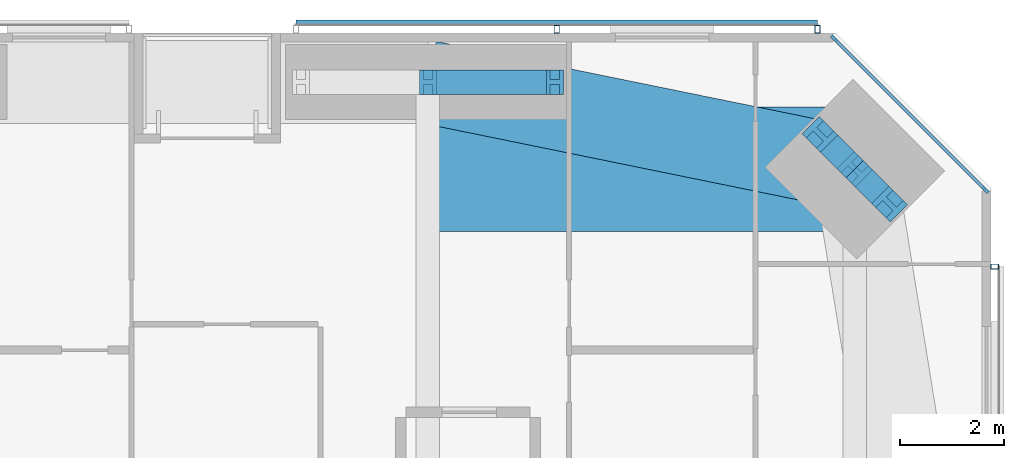
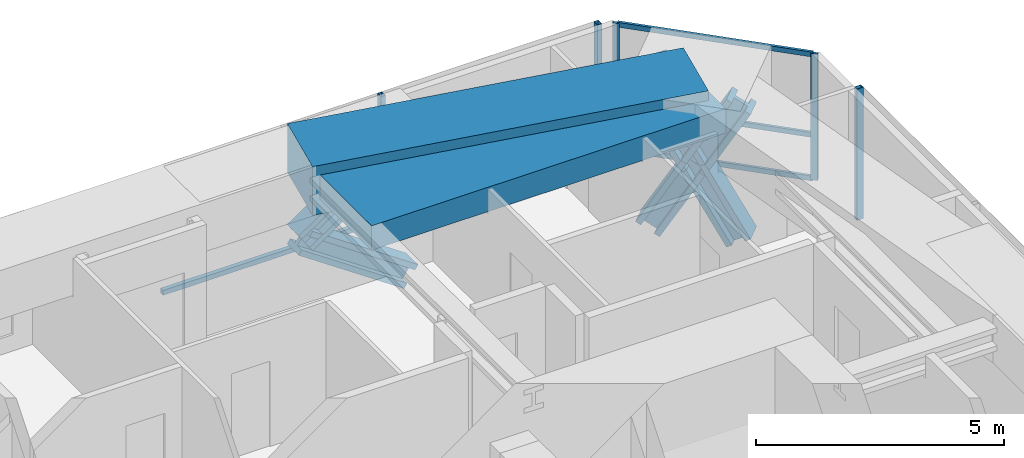
# One storey, part 15 of 24: 15 members, 2 beams, 3 elements without a shape of their own.
"""IFC4 building model written with IfcOpenShell, lengths in metres."""

from ifc_helpers import new_model, si_unit, direction, frame, origin, origin_2d, place, context, subcontext, project, spatial, rectangle, hollow_rectangle, i_section, extrude, material, material_profile, profile_set, type_object, element, aggregate, save


model = new_model("IFC4")

# Units and contexts
model_context = context("Model", 3, precision=1e-05, world=origin(), true_north=direction((0.0, 1.0)))
body_context = subcontext(model_context, "Body", "Model", "MODEL_VIEW")
ifc_project = project(units=[si_unit("LENGTHUNIT", "METRE"), si_unit("AREAUNIT", "SQUARE_METRE"), si_unit("VOLUMEUNIT", "CUBIC_METRE"), si_unit("PLANEANGLEUNIT", "RADIAN"), si_unit("MASSUNIT", "GRAM", prefix="KILO")], contexts=[model_context])

# Site, building, storey
site_placement = place(None, origin())
site = spatial("IfcSite", under=ifc_project, at=site_placement, CompositionType="ELEMENT")
building_placement = place(site_placement, origin())
building = spatial("IfcBuilding", under=site, at=building_placement, Name="Jalousie Tower", CompositionType="ELEMENT")
storey_placement = place(building_placement, frame((0.0, 0.0, 124.949951171875)))
storey = spatial("IfcBuildingStorey", under=building, at=storey_placement, Name="L34", CompositionType="ELEMENT", Elevation=124.949951171875)

# Curtain wall, members
ifc_material_1 = material(Name="Aluminium curtain wall", Category="aluminium")
curtain_wall_type_1 = type_object("IfcCurtainWallType", Name="CORNER WINDOW WALL", PredefinedType="USERDEFINED", material=ifc_material_1)
curtain_wall_1_placement = place(storey_placement, origin())
curtain_wall_1 = element("IfcCurtainWall", 1, at=curtain_wall_1_placement, inside=storey, type_object=curtain_wall_type_1, Name="Corner Window Wall L34 4", ObjectType="CORNER WINDOW WALL", PredefinedType="USERDEFINED")
ifc_material_2 = material(Name="Aluminium mullion", Category="aluminium")
ifc_material_profile_1 = material_profile(ifc_material_2, rectangle(XDim=0.06005859375, YDim=0.14990234375, at=origin_2d()), Name="MULLION 60x150")
ifc_profile_set_1 = profile_set([ifc_material_profile_1], Name="Aluminium mullion")
member_type_1 = type_object("IfcMemberType", Name="CORNER WINDOW WALL MULLION", PredefinedType="MULLION", material=ifc_profile_set_1)
member_1_placement = place(storey_placement, frame((49.391357421875, 34.969970703125, 0.0), z_axis=(0.0, 0.0, 1.0), x_axis=(-0.707106781187, -0.707106781187, 0.0)))
member_1 = element("IfcMember", 2, at=member_1_placement, type_object=member_type_1, Name="CW-C mullion 1", PredefinedType="MULLION", context=body_context, shape_type="SweptSolid", body=[
    extrude(rectangle(XDim=0.06005859375, YDim=0.14990234375, at=origin_2d()), origin(), (0.0, 0.0, 1.0), 3.110107421875),
])
member_2_placement = place(storey_placement, frame((46.469970703125, 37.891357421875, 0.0), z_axis=(0.0, 0.0, 1.0), x_axis=(-0.707106781187, -0.707106781187, 0.0)))
member_2 = element("IfcMember", 3, at=member_2_placement, type_object=member_type_1, Name="CW-C mullion 2", PredefinedType="MULLION", context=body_context, shape_type="SweptSolid", body=[
    extrude(rectangle(XDim=0.06005859375, YDim=0.14990234375, at=origin_2d()), origin(), (0.0, 0.0, 1.0), 3.110107421875),
])
ifc_material_3 = material(Name="Aluminium transom", Category="aluminium")
ifc_material_profile_2 = material_profile(ifc_material_3, rectangle(XDim=0.06005859375, YDim=0.1201171875, at=origin_2d()), Name="TRANSOM 60x120")
ifc_profile_set_2 = profile_set([ifc_material_profile_2], Name="Aluminium transom")
member_type_2 = type_object("IfcMemberType", Name="CORNER WINDOW WALL TRANSOM", PredefinedType="USERDEFINED", material=ifc_profile_set_2)
member_3_placement = place(storey_placement, frame((49.3701171875, 34.9912109375, 0.030029296875), z_axis=(-0.707106781187, 0.707106781187, 0.0), x_axis=(-0.707106781187, -0.707106781187, 0.0)))
member_3 = element("IfcMember", 4, at=member_3_placement, type_object=member_type_2, Name="CW-C transom 1.1", ObjectType="TRANSOM", PredefinedType="USERDEFINED", context=body_context, shape_type="SweptSolid", body=[
    extrude(rectangle(XDim=0.06005859375, YDim=0.1201171875, at=origin_2d()), origin(), (0.0, 0.0, 1.0), 4.0712890625),
])
member_4_placement = place(storey_placement, frame((49.3701171875, 34.9912109375, 1.10009765625), z_axis=(-0.707106781187, 0.707106781187, 0.0), x_axis=(-0.707106781187, -0.707106781187, 0.0)))
member_4 = element("IfcMember", 5, at=member_4_placement, type_object=member_type_2, Name="CW-C transom 1.2", ObjectType="TRANSOM", PredefinedType="USERDEFINED", context=body_context, shape_type="SweptSolid", body=[
    extrude(rectangle(XDim=0.06005859375, YDim=0.1201171875, at=origin_2d()), origin(), (0.0, 0.0, 1.0), 4.0712890625),
])
member_5_placement = place(storey_placement, frame((49.3701171875, 34.9912109375, 3.080078125), z_axis=(-0.707106781187, 0.707106781187, 0.0), x_axis=(-0.707106781187, -0.707106781187, 0.0)))
member_5 = element("IfcMember", 6, at=member_5_placement, type_object=member_type_2, Name="CW-C transom 1.3", ObjectType="TRANSOM", PredefinedType="USERDEFINED", context=body_context, shape_type="SweptSolid", body=[
    extrude(rectangle(XDim=0.06005859375, YDim=0.1201171875, at=origin_2d()), origin(), (0.0, 0.0, 1.0), 4.0712890625),
])
aggregate(curtain_wall_1, [member_1, member_2, member_3, member_4, member_5])

# Members
ifc_material_4 = material(Name="Steel ASTM A992 Grade 50", Category="steel")
ifc_material_profile_3 = material_profile(ifc_material_4, i_section(OverallWidth=0.472412109375, OverallDepth=0.5791015625, WebThickness=0.094970703125, FlangeThickness=0.1298828125, at=origin_2d()), Name="W14X808")
ifc_profile_set_3 = profile_set([ifc_material_profile_3], Name="Steel ASTM A992 Grade 50")
member_type_3 = type_object("IfcMemberType", Name="PERIMETER BRACE W14X808", PredefinedType="BRACE", material=ifc_profile_set_3)
member_6_placement = place(storey_placement, frame((47.540283203125, 34.697021484375, -0.599853515625), z_axis=(-0.348827529765, 0.348827529765, 0.869849819771), x_axis=(-0.707106781187, -0.707106781187, 0.0)))
element("IfcMember", 7, at=member_6_placement, inside=storey, type_object=member_type_3, Name="Perimeter brace 08 L34 part 1", PredefinedType="BRACE", context=body_context, shape_type="SweptSolid", body=[
    extrude(i_section(OverallWidth=0.472412109375, OverallDepth=0.5791015625, WebThickness=0.094970703125, FlangeThickness=0.1298828125, at=origin_2d()), origin(), (0.0, 0.0, 1.0), 1.92529296875),
])
member_7_placement = place(storey_placement, frame((46.86865234375, 35.36865234375, 1.074951171875), z_axis=(-0.348789058631, 0.348789058631, 0.869880672943), x_axis=(-0.707106781187, -0.707106781187, 0.0)))
element("IfcMember", 8, at=member_7_placement, inside=storey, type_object=member_type_3, Name="Perimeter brace 08 L34 part 2", PredefinedType="BRACE", context=body_context, shape_type="SweptSolid", body=[
    extrude(i_section(OverallWidth=0.472412109375, OverallDepth=0.5791015625, WebThickness=0.094970703125, FlangeThickness=0.1298828125, at=origin_2d()), origin(), (0.0, 0.0, 1.0), 1.925537109375),
])
member_8_placement = place(storey_placement, frame((46.197021484375, 36.040283203125, -0.599853515625), z_axis=(0.348827529765, -0.348827529765, 0.869849819771), x_axis=(0.707106781187, 0.707106781187, 0.0)))
element("IfcMember", 9, at=member_8_placement, inside=storey, type_object=member_type_3, Name="Perimeter brace 08 L34 part 3", PredefinedType="BRACE", context=body_context, shape_type="SweptSolid", body=[
    extrude(i_section(OverallWidth=0.472412109375, OverallDepth=0.5791015625, WebThickness=0.094970703125, FlangeThickness=0.1298828125, at=origin_2d()), origin(), (0.0, 0.0, 1.0), 1.92529296875),
])
member_9_placement = place(storey_placement, frame((46.86865234375, 35.36865234375, 1.074951171875), z_axis=(0.348789058631, -0.348789058631, 0.869880672943), x_axis=(0.707106781187, 0.707106781187, 0.0)))
element("IfcMember", 10, at=member_9_placement, inside=storey, type_object=member_type_3, Name="Perimeter brace 08 L34 part 4", PredefinedType="BRACE", context=body_context, shape_type="SweptSolid", body=[
    extrude(i_section(OverallWidth=0.472412109375, OverallDepth=0.5791015625, WebThickness=0.094970703125, FlangeThickness=0.1298828125, at=origin_2d()), origin(), (0.0, 0.0, 1.0), 1.925537109375),
])
for number, where, z_axis, x_axis, name in (
    (11, (38.625, 37.050048828125, 1.074951171875), (0.825500916831, 0.0, 0.564400776321), (0.0, 1.0, 0.0), "Perimeter brace 09 L34 part 2"),
    (12, (41.074951171875, 37.050048828125, -0.599853515625), (-0.825539243753, 0.0, 0.564344714713), (0.0, -1.0, 0.0), "Perimeter brace 09 L34 part 3"),
):
    element("IfcMember", number, at=place(storey_placement, frame(where, z_axis=z_axis, x_axis=x_axis)), inside=storey, type_object=member_type_3, Name=name, PredefinedType="BRACE", context=body_context, shape_type="SweptSolid", body=[
        extrude(i_section(OverallWidth=0.472412109375, OverallDepth=0.5791015625, WebThickness=0.094970703125, FlangeThickness=0.1298828125, at=origin_2d()), origin(), (0.0, 0.0, 1.0), 2.9677734375),
    ])

# Beams
ifc_material_5 = material(Name="Concrete f'c 40 MPa", Category="concrete")
ifc_material_profile_4 = material_profile(ifc_material_5, rectangle(XDim=1.60009765625, YDim=1.199951171875, at=origin_2d()), Name="RC 1600x1200")
ifc_profile_set_4 = profile_set([ifc_material_profile_4], Name="Concrete f'c 40 MPa")
beam_type_1 = type_object("IfcBeamType", Name="RC BEAM 1600x1200", PredefinedType="BEAM", material=ifc_profile_set_4)
beam_1_placement = place(storey_placement, frame((46.86865234375, 35.36865234375, 2.75), z_axis=(-0.97982690954, 0.199848010602, 0.0), x_axis=(-0.199848010602, -0.97982690954, 0.0)))
element("IfcBeam", 13, at=beam_1_placement, inside=storey, type_object=beam_type_1, Name="Edge band beam 08-09 under L35", PredefinedType="BEAM", context=body_context, shape_type="SweptSolid", body=[
    extrude(rectangle(XDim=1.60009765625, YDim=1.199951171875, at=origin_2d()), origin(), (0.0, 0.0, 1.0), 8.413330078125),
])
ifc_material_6 = material(Name="Concrete f'c 40 MPa", Category="concrete")
ifc_material_profile_5 = material_profile(ifc_material_6, rectangle(XDim=2.39990234375, YDim=0.60009765625, at=origin_2d()), Name="RC 2400x600")
ifc_profile_set_5 = profile_set([ifc_material_profile_5], Name="Concrete f'c 40 MPa")
beam_type_2 = type_object("IfcBeamType", Name="RC BEAM 2400x600", PredefinedType="BEAM", material=ifc_profile_set_5)
beam_2_placement = place(storey_placement, frame((46.86865234375, 35.36865234375, 2.81005859375), z_axis=(-1.0, 0.0, 0.0), x_axis=(0.0, -1.0, 0.0)))
element("IfcBeam", 14, at=beam_2_placement, inside=storey, type_object=beam_type_2, Name="Floor band beam under L35", PredefinedType="BEAM", context=body_context, shape_type="SweptSolid", body=[
    extrude(rectangle(XDim=2.39990234375, YDim=0.60009765625, at=origin_2d()), origin(), (0.0, 0.0, 1.0), 8.24365234375),
])

# Curtain wall, member
ifc_material_7 = material(Name="Perforated aluminium sheet", Category="aluminium")
curtain_wall_type_2 = type_object("IfcCurtainWallType", Name="SOLAR SCREEN SS-1", PredefinedType="USERDEFINED", material=ifc_material_7)
curtain_wall_2_placement = place(storey_placement, origin())
curtain_wall_2 = element("IfcCurtainWall", 15, at=curtain_wall_2_placement, inside=storey, type_object=curtain_wall_type_2, Name="Solar screen L34", ObjectType="SOLAR SCREEN SS-1", PredefinedType="USERDEFINED")
ifc_material_8 = material(Name="Steel ASTM A500 Grade C", Category="steel")
ifc_material_profile_6 = material_profile(ifc_material_8, hollow_rectangle(XDim=0.1015625, YDim=0.15234375, WallThickness=0.00634765625, at=origin_2d()), Name="HSS6X4X1/4")
ifc_profile_set_6 = profile_set([ifc_material_profile_6], Name="Steel ASTM A500 Grade C")
member_type_4 = type_object("IfcMemberType", Name="SOLAR SCREEN SS-1 MULLION", PredefinedType="MULLION", material=ifc_profile_set_6)
member_10_placement = place(storey_placement, frame((49.5712890625, 33.486083984375, -0.119873046875), z_axis=(0.0, 0.0, 1.0), x_axis=(0.0, 1.0, 0.0)))
member_10 = element("IfcMember", 16, at=member_10_placement, type_object=member_type_4, Name="SS1 post 4", PredefinedType="MULLION", context=body_context, shape_type="SweptSolid", body=[
    extrude(hollow_rectangle(XDim=0.1015625, YDim=0.15234375, WallThickness=0.00634765625, at=origin_2d()), origin(), (0.0, 0.0, 1.0), 3.22998046875),
])
aggregate(curtain_wall_2, [member_10])

# Curtain wall, members
curtain_wall_3_placement = place(storey_placement, origin())
curtain_wall_3 = element("IfcCurtainWall", 17, at=curtain_wall_3_placement, inside=storey, type_object=curtain_wall_type_2, Name="Solar screen L34", ObjectType="SOLAR SCREEN SS-1", PredefinedType="USERDEFINED")
member_11_placement = place(storey_placement, frame((46.148681640625, 38.0712890625, -0.119873046875), z_axis=(0.0, 0.0, 1.0), x_axis=(-1.0, 0.0, 0.0)))
member_11 = element("IfcMember", 18, at=member_11_placement, type_object=member_type_4, Name="SS1 post 1", PredefinedType="MULLION", context=body_context, shape_type="SweptSolid", body=[
    extrude(hollow_rectangle(XDim=0.1015625, YDim=0.15234375, WallThickness=0.00634765625, at=origin_2d()), origin(), (0.0, 0.0, 1.0), 3.22998046875),
])
member_12_placement = place(storey_placement, frame((41.11181640625, 38.0712890625, -0.119873046875), z_axis=(0.0, 0.0, 1.0), x_axis=(-1.0, 0.0, 0.0)))
member_12 = element("IfcMember", 19, at=member_12_placement, type_object=member_type_4, Name="SS1 post 2", PredefinedType="MULLION", context=body_context, shape_type="SweptSolid", body=[
    extrude(hollow_rectangle(XDim=0.1015625, YDim=0.15234375, WallThickness=0.00634765625, at=origin_2d()), origin(), (0.0, 0.0, 1.0), 3.22998046875),
])
ifc_material_9 = material(Name="Extruded aluminium screen rail", Category="aluminium")
ifc_material_profile_7 = material_profile(ifc_material_9, rectangle(XDim=0.1015625, YDim=0.1201171875, at=origin_2d()), Name="RAIL 102x120")
ifc_profile_set_7 = profile_set([ifc_material_profile_7], Name="Extruded aluminium screen rail")
member_type_5 = type_object("IfcMemberType", Name="SOLAR SCREEN SS-1 TRANSOM", PredefinedType="USERDEFINED", material=ifc_profile_set_7)
member_13_placement = place(storey_placement, frame((46.148681640625, 38.1982421875, -0.06005859375), z_axis=(-1.0, 0.0, 0.0), x_axis=(0.0, -1.0, 0.0)))
member_13 = element("IfcMember", 20, at=member_13_placement, type_object=member_type_5, Name="SS1 rail", ObjectType="TRANSOM", PredefinedType="USERDEFINED", context=body_context, shape_type="SweptSolid", body=[
    extrude(rectangle(XDim=0.1015625, YDim=0.1201171875, at=origin_2d()), origin(), (0.0, 0.0, 1.0), 10.07373046875),
])
aggregate(curtain_wall_3, [member_11, member_12, member_13])

save(model, "model.ifc")
